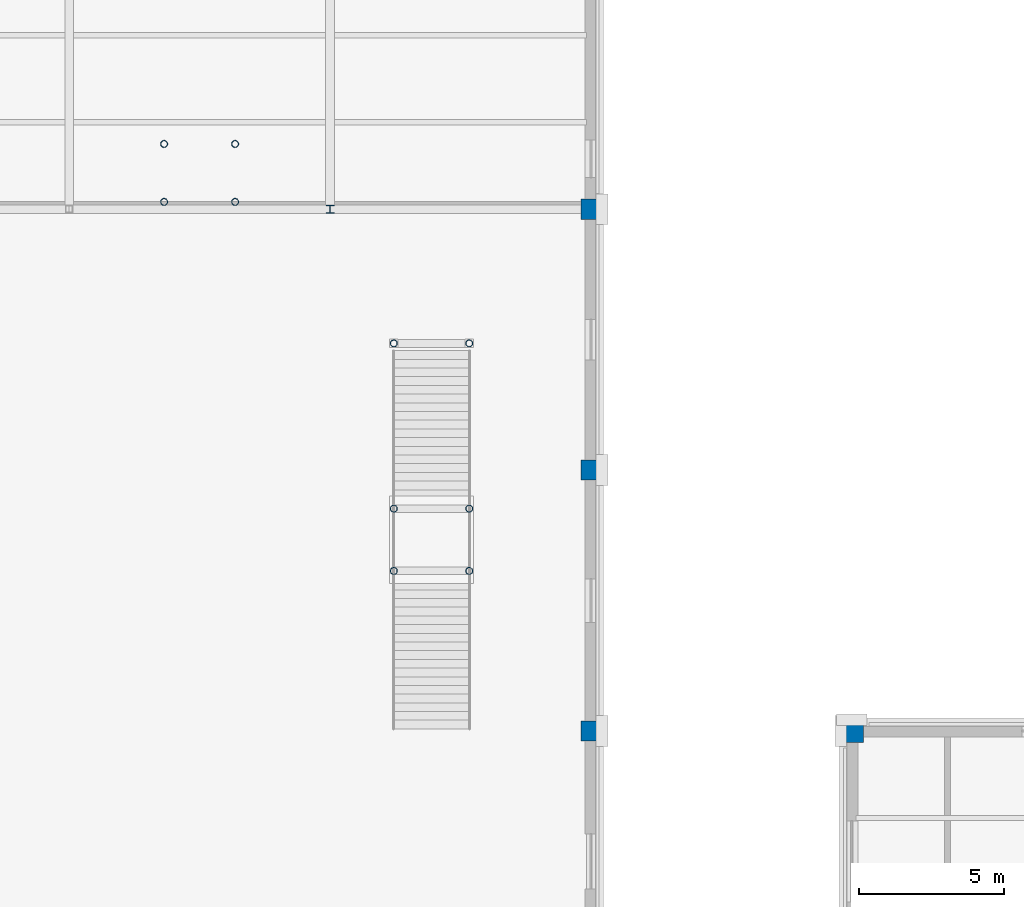
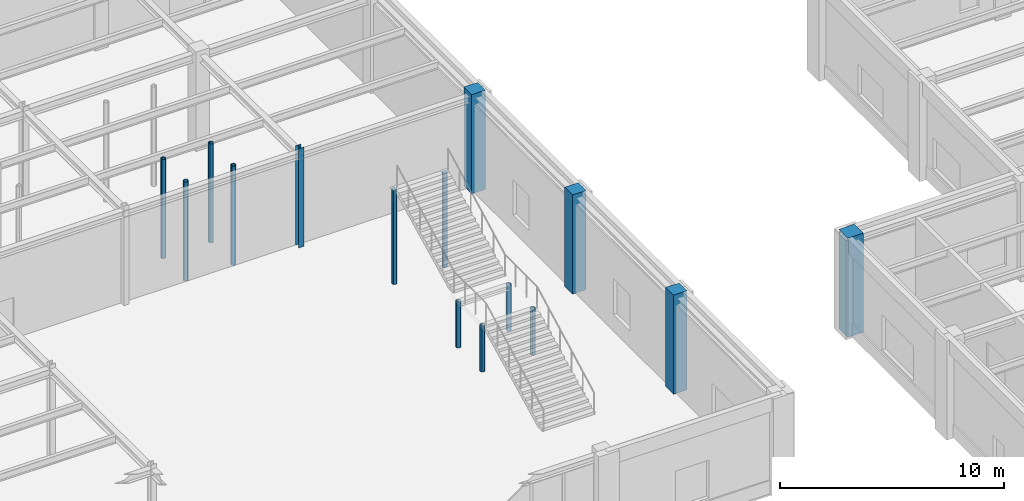
# One storey, part 11 of 77: 15 columns.
"""IFC4 building model written with IfcOpenShell, lengths in metres."""

import ifcopenshell
import ifcopenshell.guid

model = None  # the IFC model being written
_history = None  # IfcOwnerHistory: only IFC2X3 demands one
_inside = {}  # id of a spatial element -> (the spatial element, [elements in it])
_under = {}  # id of a project, library or spatial element -> (it, [spatial elements below it])
_declared = {}  # id of a project -> (the project, [libraries it declares])
_typed = {}  # id of a type object -> (the type object, [elements of that type])
_made_of = {}  # id of a material, layer set ... -> (it, [elements and type objects made of it])


def new_model(schema):
    """Start an empty IFC model of exactly this schema.

    Asked for "IFC4X3", IfcOpenShell would pick the latest addendum, in which some entities
    have other attributes; the version numbers below select the first issue.
    IFC2X3 requires an IfcOwnerHistory on every rooted entity: one is made here for all.
    """
    global model, _history
    if schema == "IFC4X3":
        model = ifcopenshell.file(schema_version=(4, 3, 0, 0))
    else:
        model = ifcopenshell.file(schema=schema)
    _inside.clear()
    _under.clear()
    _declared.clear()
    _typed.clear()
    _made_of.clear()
    _history = None
    if model.schema == "IFC2X3":
        org = make("IfcOrganization", Name="unknown")
        user = make(
            "IfcPersonAndOrganization",
            ThePerson=make("IfcPerson", FamilyName="unknown"),
            TheOrganization=org,
        )
        app = make(
            "IfcApplication",
            ApplicationDeveloper=org,
            Version="unknown",
            ApplicationFullName="unknown",
            ApplicationIdentifier="unknown",
        )
        _history = make(
            "IfcOwnerHistory",
            OwningUser=user,
            OwningApplication=app,
            ChangeAction="ADDED",
            CreationDate=0,
        )
    return model


def make(cls, **values):
    """One entity of the class cls with the attributes given. An attribute that is None is left unset."""
    return model.create_entity(
        cls, **{name: value for name, value in values.items() if value is not None}
    )


def rooted(cls, **values):
    """An entity with a GlobalId (a new one), such as an element, a storey or a relation."""
    return make(cls, GlobalId=ifcopenshell.guid.new(), OwnerHistory=_history, **values)


def si_unit(unit_type, name, prefix=None):
    """IfcSIUnit, for example si_unit("LENGTHUNIT", "METRE", prefix="MILLI")."""
    return make("IfcSIUnit", UnitType=unit_type, Prefix=prefix, Name=name)


def assignment(units):
    """IfcUnitAssignment: the units of a project."""
    return None if units is None else make("IfcUnitAssignment", Units=units)


def point(xyz):
    """IfcCartesianPoint."""
    return None if xyz is None else make("IfcCartesianPoint", Coordinates=xyz)


def direction(xyz):
    """IfcDirection."""
    return None if xyz is None else make("IfcDirection", DirectionRatios=xyz)


def frame(location, z_axis=None, x_axis=None):
    """IfcAxis2Placement3D, a coordinate frame: its origin and axes. An axis left out is left unset."""
    return make(
        "IfcAxis2Placement3D",
        Location=point(location),
        Axis=direction(z_axis),
        RefDirection=direction(x_axis),
    )


def frame_2d(location, x_axis=None):
    """IfcAxis2Placement2D, a coordinate frame in the plane: its origin and x axis."""
    return make(
        "IfcAxis2Placement2D", Location=point(location), RefDirection=direction(x_axis)
    )


def origin():
    """The frame at (0, 0, 0) with its axes left unset."""
    return frame((0.0, 0.0, 0.0))


def origin_2d():
    """The frame at (0, 0) in the plane with its x axis left unset."""
    return frame_2d((0.0, 0.0))


def place(relative_to, where):
    """IfcLocalPlacement: puts the frame where relative to a parent placement (None: the world)."""
    return make(
        "IfcLocalPlacement", PlacementRelTo=relative_to, RelativePlacement=where
    )


def context(
    kind, dimensions, precision=None, world=None, true_north=None, identifier=None
):
    """IfcGeometricRepresentationContext, for example the 3D "Model" context."""
    return make(
        "IfcGeometricRepresentationContext",
        ContextIdentifier=identifier,
        ContextType=kind,
        CoordinateSpaceDimension=dimensions,
        Precision=precision,
        WorldCoordinateSystem=world,
        TrueNorth=true_north,
    )


def subcontext(parent, identifier, kind, view, scale=None):
    """IfcGeometricRepresentationSubContext, for example "Body" below "Model"."""
    return make(
        "IfcGeometricRepresentationSubContext",
        ContextIdentifier=identifier,
        ContextType=kind,
        ParentContext=parent,
        TargetScale=scale,
        TargetView=view,
    )


def project(units=None, contexts=None):
    """IfcProject with its units and contexts."""
    return rooted(
        "IfcProject",
        Name="project",
        RepresentationContexts=contexts,
        UnitsInContext=assignment(units),
    )


def spatial(cls, under=None, at=None, **own):
    """A site, building, storey or space (cls), placed at a placement, below another one or the project."""
    s = rooted(cls, ObjectPlacement=at, **own)
    if under is not None:
        _under.setdefault(under.id(), (under, []))[1].append(s)
    return s


def profile(cls, at=None, kind="AREA", **sizes):
    """A parametric profile (cls). Its sizes go by their IFC names, for example OverallWidth=200.0."""
    return make(cls, ProfileType=kind, Position=at, **sizes)


def rectangle(**sizes):
    """IfcRectangleProfileDef."""
    return profile("IfcRectangleProfileDef", **sizes)


def hollow_circle(**sizes):
    """IfcCircleHollowProfileDef."""
    return profile("IfcCircleHollowProfileDef", **sizes)


def i_section(**sizes):
    """IfcIShapeProfileDef."""
    return profile("IfcIShapeProfileDef", **sizes)


def extrude(swept, where, along, depth):
    """IfcExtrudedAreaSolid: the profile swept, set in the frame where, extruded along a direction by depth."""
    return make(
        "IfcExtrudedAreaSolid",
        SweptArea=swept,
        Position=where,
        ExtrudedDirection=direction(along),
        Depth=depth,
    )


def shape(context_of_items, identifier, shape_type, items):
    """IfcShapeRepresentation: the items that make up one representation, for example the "Body"."""
    return make(
        "IfcShapeRepresentation",
        ContextOfItems=context_of_items,
        RepresentationIdentifier=identifier,
        RepresentationType=shape_type,
        Items=items,
    )


def material(Name=None, Category=None):
    """IfcMaterial."""
    return make("IfcMaterial", Name=Name, Category=Category)


def material_profile(
    of_material, cross_section, Name=None, Category=None, Priority=None
):
    """IfcMaterialProfile: a cross section and its material."""
    return make(
        "IfcMaterialProfile",
        Name=Name,
        Material=of_material,
        Profile=cross_section,
        Priority=Priority,
        Category=Category,
    )


def profile_set(profiles, Name=None, composite=None):
    """IfcMaterialProfileSet."""
    return make(
        "IfcMaterialProfileSet",
        Name=Name,
        MaterialProfiles=profiles,
        CompositeProfile=composite,
    )


def made_of(thing, what):
    """Note that an element or type object is made of a material, layer set ...; save() writes the relation."""
    if what is not None:
        _made_of.setdefault(what.id(), (what, []))[1].append(thing)
    return thing


def type_object(cls, material=None, **own):
    """A type object (cls), such as IfcWallType, which elements share."""
    return made_of(rooted(cls, **own), material)


def element(
    cls,
    number,
    at=None,
    inside=None,
    cuts=None,
    type_object=None,
    material=None,
    context=None,
    identifier="Body",
    shape_type=None,
    held_by="IfcProductDefinitionShape",
    body=None,
    shapes=None,
    **own,
):
    """One element of the class cls, such as IfcWall. Its Tag is "e" and its number.

    at: its placement. inside: the storey or other place that contains it. cuts: it is an
    opening in that element (IfcRelVoidsElement). A single representation is given by context,
    identifier, shape_type and body (its items); several are given by shapes. held_by: the class
    of the entity that holds the representations. save() writes the other relations.
    """
    e = rooted(cls, Tag="e%d" % number, ObjectPlacement=at, **own)
    if body is not None:
        shapes = [shape(context, identifier, shape_type, body)]
    if shapes is not None:
        e.Representation = make(held_by, Representations=shapes)
    if inside is not None:
        _inside.setdefault(inside.id(), (inside, []))[1].append(e)
    if cuts is not None:
        rooted(
            "IfcRelVoidsElement", RelatingBuildingElement=cuts, RelatedOpeningElement=e
        )
    if type_object is not None:
        _typed.setdefault(type_object.id(), (type_object, []))[1].append(e)
    return made_of(e, material)


def aggregate(whole, parts):
    """IfcRelAggregates: a whole, such as a stair, and the parts it consists of."""
    return rooted("IfcRelAggregates", RelatingObject=whole, RelatedObjects=parts)


def save(model, path):
    """Write the relations noted so far, then the file.

    IfcRelAggregates (storeys below a building ...), IfcRelContainedInSpatialStructure (elements
    in a storey), IfcRelDefinesByType, IfcRelAssociatesMaterial and IfcRelDeclares: one each for
    every whole, place, type object, material and project.
    """
    for whole, parts in _under.values():
        aggregate(whole, parts)
    for where, things in _inside.values():
        rooted(
            "IfcRelContainedInSpatialStructure",
            RelatedElements=things,
            RelatingStructure=where,
        )
    for kind, things in _typed.values():
        rooted("IfcRelDefinesByType", RelatedObjects=things, RelatingType=kind)
    for what, things in _made_of.values():
        rooted("IfcRelAssociatesMaterial", RelatedObjects=things, RelatingMaterial=what)
    for by, libraries in _declared.values():
        rooted("IfcRelDeclares", RelatingContext=by, RelatedDefinitions=libraries)
    model.write(path)


model = new_model("IFC4")

# Units and contexts
model_context = context("Model", 3, precision=1e-05, world=origin(), true_north=direction((0.0, 1.0)))
body_context = subcontext(model_context, "Body", "Model", "MODEL_VIEW")
ifc_project = project(units=[si_unit("LENGTHUNIT", "METRE"), si_unit("AREAUNIT", "SQUARE_METRE"), si_unit("VOLUMEUNIT", "CUBIC_METRE"), si_unit("PLANEANGLEUNIT", "RADIAN"), si_unit("MASSUNIT", "GRAM", prefix="KILO")], contexts=[model_context])

# Site, building, storey
site_placement = place(None, origin())
site = spatial("IfcSite", under=ifc_project, at=site_placement, CompositionType="ELEMENT")
building_placement = place(site_placement, origin())
building = spatial("IfcBuilding", under=site, at=building_placement, Name="Lykobir Media Centre", CompositionType="ELEMENT")
storey_placement = place(building_placement, origin())
storey = spatial("IfcBuildingStorey", under=building, at=storey_placement, Name="L00", CompositionType="ELEMENT", Elevation=0.0)

# Columns
ifc_material_1 = material(Name="Concrete C40/50", Category="concrete")
ifc_material_profile_1 = material_profile(ifc_material_1, rectangle(XDim=0.699951171875, YDim=0.699951171875, at=origin_2d()), Name="RC 700x700")
ifc_profile_set_1 = profile_set([ifc_material_profile_1], Name="Concrete C40/50")
column_type_1 = type_object("IfcColumnType", Name="RC-C700-E", PredefinedType="COLUMN", material=ifc_profile_set_1)
for number, where, z_axis, x_axis, name in (
    (1, (81.0, 72.0, 0.0), (0.0, 0.0, 1.0), (1.0, 0.0, 0.0), "Column COL-L00-0810-0720"),
    (2, (81.0, 81.0, 0.0), (0.0, 0.0, 1.0), (1.0, 0.0, 0.0), "Column COL-L00-0810-0810"),
    (3, (81.0, 90.0, 0.0), (0.0, 0.0, 1.0), (1.0, 0.0, 0.0), "Column COL-L00-0810-0900"),
):
    element("IfcColumn", number, at=place(storey_placement, frame(where, z_axis=z_axis, x_axis=x_axis)), inside=storey, type_object=column_type_1, Name=name, PredefinedType="COLUMN", context=body_context, shape_type="SweptSolid", body=[
        extrude(rectangle(XDim=0.699951171875, YDim=0.699951171875, at=origin_2d()), origin(), (0.0, 0.0, 1.0), 5.39990234375),
    ])
ifc_material_profile_2 = material_profile(ifc_material_1, rectangle(XDim=0.800048828125, YDim=0.800048828125, at=origin_2d()), Name="RC 800x800")
ifc_profile_set_2 = profile_set([ifc_material_profile_2], Name="Concrete C40/50")
column_type_2 = type_object("IfcColumnType", Name="RC-C800-E", PredefinedType="COLUMN", material=ifc_profile_set_2)
column_1_placement = place(storey_placement, frame((90.0, 72.0, 0.0), z_axis=(0.0, 0.0, 1.0), x_axis=(1.0, 0.0, 0.0)))
element("IfcColumn", 4, at=column_1_placement, inside=storey, type_object=column_type_2, Name="Column COL-L00-0900-0720", PredefinedType="COLUMN", context=body_context, shape_type="SweptSolid", body=[
    extrude(rectangle(XDim=0.800048828125, YDim=0.800048828125, at=origin_2d()), origin(), (0.0, 0.0, 1.0), 5.39990234375),
])
ifc_material_2 = material(Name="Steel S355", Category="steel")
ifc_material_profile_3 = material_profile(ifc_material_2, hollow_circle(Radius=0.122314453125, WallThickness=0.012451171875, at=origin_2d()), Name="CHS 244.5x12.5")
ifc_profile_set_3 = profile_set([ifc_material_profile_3], Name="Steel S355")
column_type_3 = type_object("IfcColumnType", Name="SC-CHS244", PredefinedType="COLUMN", material=ifc_profile_set_3)
for number, where, z_axis, x_axis, name in (
    (5, (74.199951171875, 77.52001953125, 0.0), (0.0, 0.0, 1.0), (1.0, 0.0, 0.0), "Valley stair column L00 1-742-775"),
    (6, (74.199951171875, 79.669921875, 0.0), (0.0, 0.0, 1.0), (1.0, 0.0, 0.0), "Valley stair column L00 1-742-797"),
    (7, (76.800048828125, 77.52001953125, 0.0), (0.0, 0.0, 1.0), (1.0, 0.0, 0.0), "Valley stair column L00 1-768-775"),
    (8, (76.800048828125, 79.669921875, 0.0), (0.0, 0.0, 1.0), (1.0, 0.0, 0.0), "Valley stair column L00 1-768-797"),
):
    element("IfcColumn", number, at=place(storey_placement, frame(where, z_axis=z_axis, x_axis=x_axis)), inside=storey, type_object=column_type_3, Name=name, PredefinedType="COLUMN", context=body_context, shape_type="SweptSolid", body=[
        extrude(hollow_circle(Radius=0.122314453125, WallThickness=0.012451171875, at=origin_2d()), origin(), (0.0, 0.0, 1.0), 2.4951171875),
    ])
for number, where, z_axis, x_axis, name in (
    (9, (74.199951171875, 85.3701171875, 0.0), (0.0, 0.0, 1.0), (1.0, 0.0, 0.0), "Valley arrival column L00 A1-742"),
    (10, (76.800048828125, 85.3701171875, 0.0), (0.0, 0.0, 1.0), (1.0, 0.0, 0.0), "Valley arrival column L00 A1-768"),
):
    element("IfcColumn", number, at=place(storey_placement, frame(where, z_axis=z_axis, x_axis=x_axis)), inside=storey, type_object=column_type_3, Name=name, PredefinedType="COLUMN", context=body_context, shape_type="SweptSolid", body=[
        extrude(hollow_circle(Radius=0.122314453125, WallThickness=0.012451171875, at=origin_2d()), origin(), (0.0, 0.0, 1.0), 5.159912109375),
    ])
for number, where, z_axis, x_axis, name in (
    (11, (66.27490234375, 90.25, 0.0), (0.0, 0.0, 1.0), (1.0, 0.0, 0.0), "Valley stair column L00 2-663-902"),
    (12, (66.27490234375, 92.25, 0.0), (0.0, 0.0, 1.0), (1.0, 0.0, 0.0), "Valley stair column L00 2-663-922"),
    (13, (68.72509765625, 90.25, 0.0), (0.0, 0.0, 1.0), (1.0, 0.0, 0.0), "Valley stair column L00 2-687-902"),
    (14, (68.72509765625, 92.25, 0.0), (0.0, 0.0, 1.0), (1.0, 0.0, 0.0), "Valley stair column L00 2-687-922"),
):
    element("IfcColumn", number, at=place(storey_placement, frame(where, z_axis=z_axis, x_axis=x_axis)), inside=storey, type_object=column_type_3, Name=name, PredefinedType="COLUMN", context=body_context, shape_type="SweptSolid", body=[
        extrude(hollow_circle(Radius=0.122314453125, WallThickness=0.012451171875, at=origin_2d()), origin(), (0.0, 0.0, 1.0), 5.39990234375),
    ])
ifc_material_profile_4 = material_profile(ifc_material_2, i_section(OverallWidth=0.280029296875, OverallDepth=0.280029296875, WebThickness=0.010498046875, FlangeThickness=0.01806640625, at=origin_2d()), Name="HEB 280")
ifc_profile_set_4 = profile_set([ifc_material_profile_4], Name="Steel S355")
column_type_4 = type_object("IfcColumnType", Name="SC-HEB280", PredefinedType="COLUMN", material=ifc_profile_set_4)
column_2_placement = place(storey_placement, frame((72.0, 90.0, 0.0), z_axis=(0.0, 0.0, 1.0), x_axis=(1.0, 0.0, 0.0)))
element("IfcColumn", 15, at=column_2_placement, inside=storey, type_object=column_type_4, Name="Column COL-L00-0720-0900", PredefinedType="COLUMN", context=body_context, shape_type="SweptSolid", body=[
    extrude(i_section(OverallWidth=0.280029296875, OverallDepth=0.280029296875, WebThickness=0.010498046875, FlangeThickness=0.01806640625, at=origin_2d()), origin(), (0.0, 0.0, 1.0), 5.39990234375),
])

save(model, "model.ifc")
